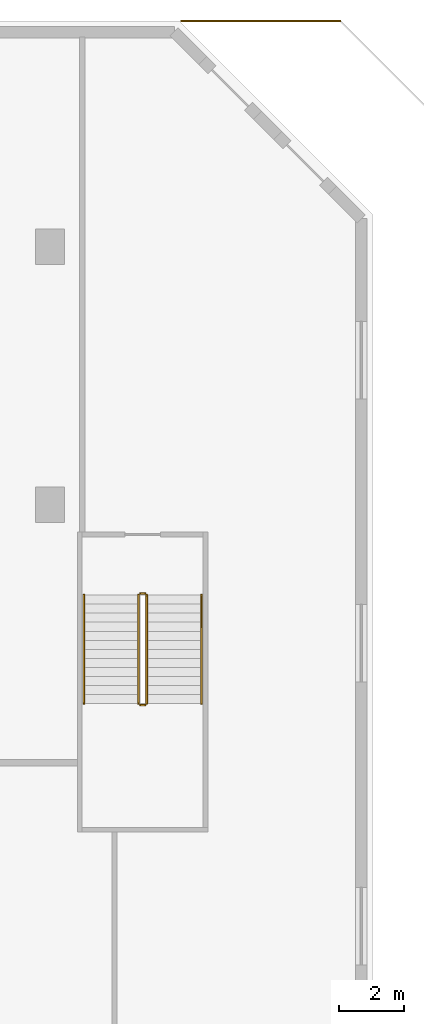
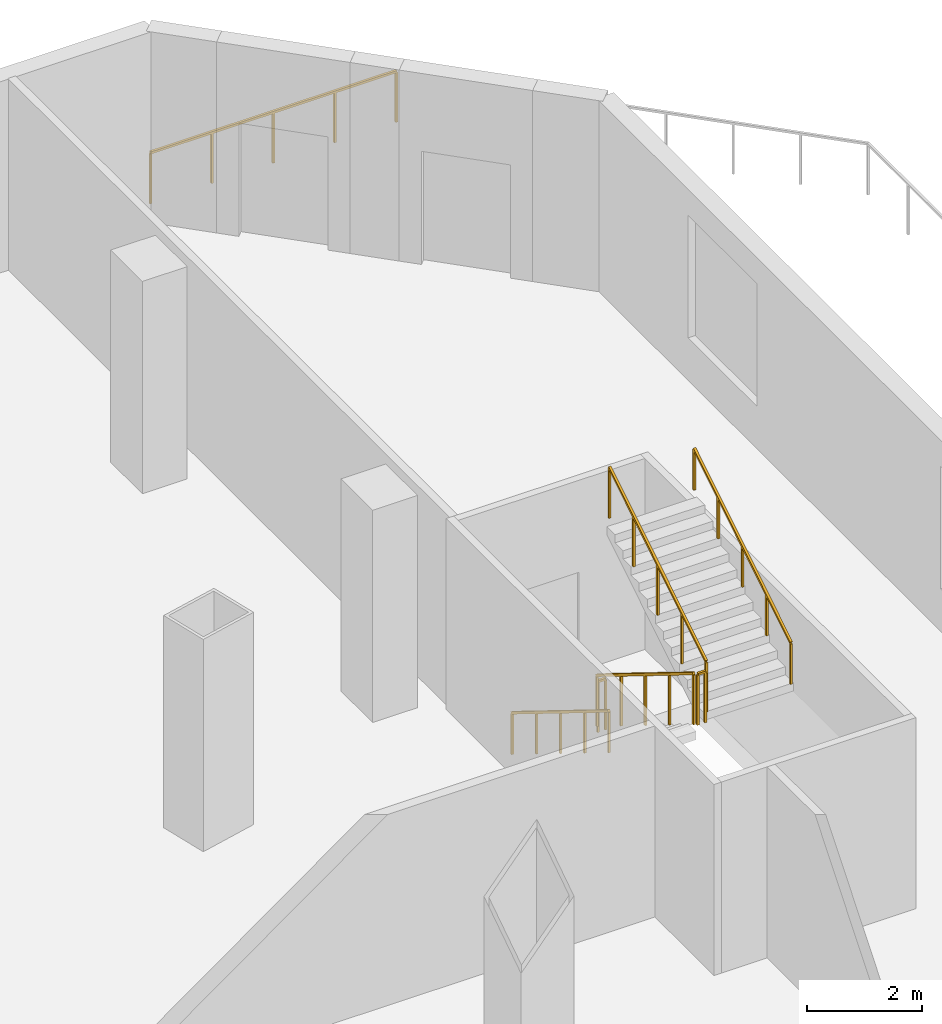
# One storey, part 14 of 14: 7 railings.
"""IFC4 building model written with IfcOpenShell, lengths in metres."""

from ifc_helpers import new_model, si_unit, direction, frame, origin, origin_with_axes, origin_2d, place, context, subcontext, project, spatial, rectangle, extrude, material, type_object, element, save


model = new_model("IFC4")

# Units and contexts
model_context = context("Model", 3, precision=1e-05, world=origin(), true_north=direction((0.0, 1.0)))
body_context = subcontext(model_context, "Body", "Model", "MODEL_VIEW")
ifc_project = project(units=[si_unit("LENGTHUNIT", "METRE"), si_unit("AREAUNIT", "SQUARE_METRE"), si_unit("VOLUMEUNIT", "CUBIC_METRE"), si_unit("PLANEANGLEUNIT", "RADIAN"), si_unit("MASSUNIT", "GRAM", prefix="KILO")], contexts=[model_context])

# Site, building, storey
site_placement = place(None, origin())
site = spatial("IfcSite", under=ifc_project, at=site_placement, CompositionType="ELEMENT")
building_placement = place(site_placement, origin())
building = spatial("IfcBuilding", under=site, at=building_placement, Name="Alderwake Tower", CompositionType="ELEMENT")
storey_placement = place(building_placement, frame((0.0, 0.0, 23.0)))
storey = spatial("IfcBuildingStorey", under=building, at=storey_placement, Name="L04", CompositionType="ELEMENT", Elevation=23.0)

# Railings
ifc_material_1 = material(Name="Stainless steel 316 rail and posts", Category="steel")
railing_type_1 = type_object("IfcRailingType", Name="Balcony guard 1100", PredefinedType="GUARDRAIL", material=ifc_material_1)
railing_1_placement = place(storey_placement, frame((68.07080078125, 111.0, 0.0)))
element("IfcRailing", 1, at=railing_1_placement, inside=storey, type_object=railing_type_1, Name="Guard terrace TR-L03-1", PredefinedType="GUARDRAIL", context=body_context, shape_type="SweptSolid", body=[
    extrude(rectangle(XDim=0.048095703125, YDim=0.048095703125, at=origin_2d()), frame((0.0, 0.0, 1.076171875), z_axis=(1.0, 0.0, 0.0), x_axis=(0.0, 1.0, 0.0)), (0.0, 0.0, 1.0), 4.92919921875),
    extrude(rectangle(XDim=0.0419921875, YDim=0.0419921875, at=origin_2d()), origin_with_axes(), (0.0, 0.0, 1.0), 1.052001953125),
    extrude(rectangle(XDim=0.0419921875, YDim=0.0419921875, at=origin_2d()), frame((1.232421875, 0.0, 0.0), z_axis=(0.0, 0.0, 1.0), x_axis=(1.0, 0.0, 0.0)), (0.0, 0.0, 1.0), 1.052001953125),
    extrude(rectangle(XDim=0.0419921875, YDim=0.0419921875, at=origin_2d()), frame((2.464599609375, 0.0, 0.0), z_axis=(0.0, 0.0, 1.0), x_axis=(1.0, 0.0, 0.0)), (0.0, 0.0, 1.0), 1.052001953125),
    extrude(rectangle(XDim=0.0419921875, YDim=0.0419921875, at=origin_2d()), frame((3.69677734375, 0.0, 0.0), z_axis=(0.0, 0.0, 1.0), x_axis=(1.0, 0.0, 0.0)), (0.0, 0.0, 1.0), 1.052001953125),
    extrude(rectangle(XDim=0.0419921875, YDim=0.0419921875, at=origin_2d()), frame((4.92919921875, 0.0, 0.0), z_axis=(0.0, 0.0, 1.0), x_axis=(1.0, 0.0, 0.0)), (0.0, 0.0, 1.0), 1.052001953125),
])
ifc_material_2 = material(Name="Stainless steel guard", Category="steel")
railing_type_2 = type_object("IfcRailingType", Name="Stair guard 1100", PredefinedType="GUARDRAIL", material=ifc_material_2)
railing_2_placement = place(storey_placement, frame((66.75, 93.199951171875, 0.173095703125)))
element("IfcRailing", 2, at=railing_2_placement, inside=storey, type_object=railing_type_2, Name="L04 ST-P3 stair guard 1", PredefinedType="GUARDRAIL", context=body_context, shape_type="SweptSolid", body=[
    extrude(rectangle(XDim=0.048095703125, YDim=0.048095703125, at=origin_2d()), frame((0.0, 0.0, 1.076171875), z_axis=(0.0, -0.850606129759, 0.525803396734), x_axis=(1.0, 0.0, 0.0)), (0.0, 0.0, 1.0), 3.949951171875),
    extrude(rectangle(XDim=0.0419921875, YDim=0.0419921875, at=origin_2d()), frame((0.0, 0.0, 0.0), z_axis=(0.0, 0.0, 1.0), x_axis=(0.0, -1.0, 0.0)), (0.0, 0.0, 1.0), 1.052001953125),
    extrude(rectangle(XDim=0.0419921875, YDim=0.0419921875, at=origin_2d()), frame((0.0, -0.83984375, 0.519287109375), z_axis=(0.0, 0.0, 1.0), x_axis=(0.0, -1.0, 0.0)), (0.0, 0.0, 1.0), 1.052001953125),
    extrude(rectangle(XDim=0.0419921875, YDim=0.0419921875, at=origin_2d()), frame((0.0, -1.679931640625, 1.03857421875), z_axis=(0.0, 0.0, 1.0), x_axis=(0.0, -1.0, 0.0)), (0.0, 0.0, 1.0), 1.052001953125),
    extrude(rectangle(XDim=0.0419921875, YDim=0.0419921875, at=origin_2d()), frame((0.0, -2.52001953125, 1.5576171875), z_axis=(0.0, 0.0, 1.0), x_axis=(0.0, -1.0, 0.0)), (0.0, 0.0, 1.0), 1.052001953125),
    extrude(rectangle(XDim=0.0419921875, YDim=0.0419921875, at=origin_2d()), frame((0.0, -3.35986328125, 2.076904296875), z_axis=(0.0, 0.0, 1.0), x_axis=(0.0, -1.0, 0.0)), (0.0, 0.0, 1.0), 1.052001953125),
])
railing_3_placement = place(storey_placement, frame((66.800048828125, 89.7900390625, 2.25)))
element("IfcRailing", 3, at=railing_3_placement, inside=storey, type_object=railing_type_2, Name="L04 ST-P3 stair guard 2", PredefinedType="GUARDRAIL", context=body_context, shape_type="SweptSolid", body=[
    extrude(rectangle(XDim=0.048095703125, YDim=0.048095703125, at=origin_2d()), frame((0.0, 0.0, 1.076171875), z_axis=(1.0, 0.0, 0.0), x_axis=(0.0, 1.0, 0.0)), (0.0, 0.0, 1.0), 0.14990234375),
    extrude(rectangle(XDim=0.0419921875, YDim=0.0419921875, at=origin_2d()), origin_with_axes(), (0.0, 0.0, 1.0), 1.052001953125),
    extrude(rectangle(XDim=0.0419921875, YDim=0.0419921875, at=origin_2d()), frame((0.14990234375, 0.0, 0.0), z_axis=(0.0, 0.0, 1.0), x_axis=(1.0, 0.0, 0.0)), (0.0, 0.0, 1.0), 1.052001953125),
])
railing_4_placement = place(storey_placement, frame((67.0, 89.840087890625, 2.423095703125)))
element("IfcRailing", 4, at=railing_4_placement, inside=storey, type_object=railing_type_2, Name="L04 ST-P3 stair guard 3", PredefinedType="GUARDRAIL", context=body_context, shape_type="SweptSolid", body=[
    extrude(rectangle(XDim=0.048095703125, YDim=0.048095703125, at=origin_2d()), frame((0.0, 0.0, 1.076171875), z_axis=(0.0, 0.850606129759, 0.525803396734), x_axis=(-1.0, 0.0, 0.0)), (0.0, 0.0, 1.0), 3.949951171875),
    extrude(rectangle(XDim=0.0419921875, YDim=0.0419921875, at=origin_2d()), frame((0.0, 0.0, 0.0), z_axis=(0.0, 0.0, 1.0), x_axis=(0.0, 1.0, 0.0)), (0.0, 0.0, 1.0), 1.052001953125),
    extrude(rectangle(XDim=0.0419921875, YDim=0.0419921875, at=origin_2d()), frame((0.0, 0.83984375, 0.519287109375), z_axis=(0.0, 0.0, 1.0), x_axis=(0.0, 1.0, 0.0)), (0.0, 0.0, 1.0), 1.052001953125),
    extrude(rectangle(XDim=0.0419921875, YDim=0.0419921875, at=origin_2d()), frame((0.0, 1.679931640625, 1.03857421875), z_axis=(0.0, 0.0, 1.0), x_axis=(0.0, 1.0, 0.0)), (0.0, 0.0, 1.0), 1.052001953125),
    extrude(rectangle(XDim=0.0419921875, YDim=0.0419921875, at=origin_2d()), frame((0.0, 2.52001953125, 1.5576171875), z_axis=(0.0, 0.0, 1.0), x_axis=(0.0, 1.0, 0.0)), (0.0, 0.0, 1.0), 1.052001953125),
    extrude(rectangle(XDim=0.0419921875, YDim=0.0419921875, at=origin_2d()), frame((0.0, 3.35986328125, 2.076904296875), z_axis=(0.0, 0.0, 1.0), x_axis=(0.0, 1.0, 0.0)), (0.0, 0.0, 1.0), 1.052001953125),
])
railing_5_placement = place(storey_placement, frame((66.800048828125, 93.25, 0.0)))
element("IfcRailing", 5, at=railing_5_placement, inside=storey, type_object=railing_type_2, Name="L04 ST-P3 stair guard 4", PredefinedType="GUARDRAIL", context=body_context, shape_type="SweptSolid", body=[
    extrude(rectangle(XDim=0.048095703125, YDim=0.048095703125, at=origin_2d()), frame((0.0, 0.0, 1.076171875), z_axis=(1.0, 0.0, 0.0), x_axis=(0.0, 1.0, 0.0)), (0.0, 0.0, 1.0), 0.14990234375),
    extrude(rectangle(XDim=0.0419921875, YDim=0.0419921875, at=origin_2d()), origin_with_axes(), (0.0, 0.0, 1.0), 1.052001953125),
    extrude(rectangle(XDim=0.0419921875, YDim=0.0419921875, at=origin_2d()), frame((0.14990234375, 0.0, 0.0), z_axis=(0.0, 0.0, 1.0), x_axis=(1.0, 0.0, 0.0)), (0.0, 0.0, 1.0), 1.052001953125),
])
ifc_material_3 = material(Name="Stainless steel handrail", Category="steel")
railing_type_3 = type_object("IfcRailingType", Name="Stair handrail 900", PredefinedType="HANDRAIL", material=ifc_material_3)
railing_6_placement = place(storey_placement, frame((65.050048828125, 93.199951171875, 0.173095703125)))
element("IfcRailing", 6, at=railing_6_placement, inside=storey, type_object=railing_type_3, Name="L04 ST-P3 stair handrail 1", PredefinedType="HANDRAIL", context=body_context, shape_type="SweptSolid", body=[
    extrude(rectangle(XDim=0.048095703125, YDim=0.048095703125, at=origin_2d()), frame((0.0, 0.0, 0.8759765625), z_axis=(0.0, -0.850606129759, 0.525803396734), x_axis=(1.0, 0.0, 0.0)), (0.0, 0.0, 1.0), 3.949951171875),
    extrude(rectangle(XDim=0.0419921875, YDim=0.0419921875, at=origin_2d()), frame((0.0, 0.0, 0.0), z_axis=(0.0, 0.0, 1.0), x_axis=(0.0, -1.0, 0.0)), (0.0, 0.0, 1.0), 0.851806640625),
    extrude(rectangle(XDim=0.0419921875, YDim=0.0419921875, at=origin_2d()), frame((0.0, -0.83984375, 0.519287109375), z_axis=(0.0, 0.0, 1.0), x_axis=(0.0, -1.0, 0.0)), (0.0, 0.0, 1.0), 0.851806640625),
    extrude(rectangle(XDim=0.0419921875, YDim=0.0419921875, at=origin_2d()), frame((0.0, -1.679931640625, 1.03857421875), z_axis=(0.0, 0.0, 1.0), x_axis=(0.0, -1.0, 0.0)), (0.0, 0.0, 1.0), 0.851806640625),
    extrude(rectangle(XDim=0.0419921875, YDim=0.0419921875, at=origin_2d()), frame((0.0, -2.52001953125, 1.5576171875), z_axis=(0.0, 0.0, 1.0), x_axis=(0.0, -1.0, 0.0)), (0.0, 0.0, 1.0), 0.851806640625),
    extrude(rectangle(XDim=0.0419921875, YDim=0.0419921875, at=origin_2d()), frame((0.0, -3.35986328125, 2.076904296875), z_axis=(0.0, 0.0, 1.0), x_axis=(0.0, -1.0, 0.0)), (0.0, 0.0, 1.0), 0.851806640625),
])
railing_7_placement = place(storey_placement, frame((68.699951171875, 89.840087890625, 2.423095703125)))
element("IfcRailing", 7, at=railing_7_placement, inside=storey, type_object=railing_type_3, Name="L04 ST-P3 stair handrail 2", PredefinedType="HANDRAIL", context=body_context, shape_type="SweptSolid", body=[
    extrude(rectangle(XDim=0.048095703125, YDim=0.048095703125, at=origin_2d()), frame((0.0, 0.0, 0.8759765625), z_axis=(0.0, 0.850606129759, 0.525803396734), x_axis=(-1.0, 0.0, 0.0)), (0.0, 0.0, 1.0), 3.949951171875),
    extrude(rectangle(XDim=0.0419921875, YDim=0.0419921875, at=origin_2d()), frame((0.0, 0.0, 0.0), z_axis=(0.0, 0.0, 1.0), x_axis=(0.0, 1.0, 0.0)), (0.0, 0.0, 1.0), 0.851806640625),
    extrude(rectangle(XDim=0.0419921875, YDim=0.0419921875, at=origin_2d()), frame((0.0, 0.83984375, 0.519287109375), z_axis=(0.0, 0.0, 1.0), x_axis=(0.0, 1.0, 0.0)), (0.0, 0.0, 1.0), 0.851806640625),
    extrude(rectangle(XDim=0.0419921875, YDim=0.0419921875, at=origin_2d()), frame((0.0, 1.679931640625, 1.03857421875), z_axis=(0.0, 0.0, 1.0), x_axis=(0.0, 1.0, 0.0)), (0.0, 0.0, 1.0), 0.851806640625),
    extrude(rectangle(XDim=0.0419921875, YDim=0.0419921875, at=origin_2d()), frame((0.0, 2.52001953125, 1.5576171875), z_axis=(0.0, 0.0, 1.0), x_axis=(0.0, 1.0, 0.0)), (0.0, 0.0, 1.0), 0.851806640625),
    extrude(rectangle(XDim=0.0419921875, YDim=0.0419921875, at=origin_2d()), frame((0.0, 3.35986328125, 2.076904296875), z_axis=(0.0, 0.0, 1.0), x_axis=(0.0, 1.0, 0.0)), (0.0, 0.0, 1.0), 0.851806640625),
])

save(model, "model.ifc")
